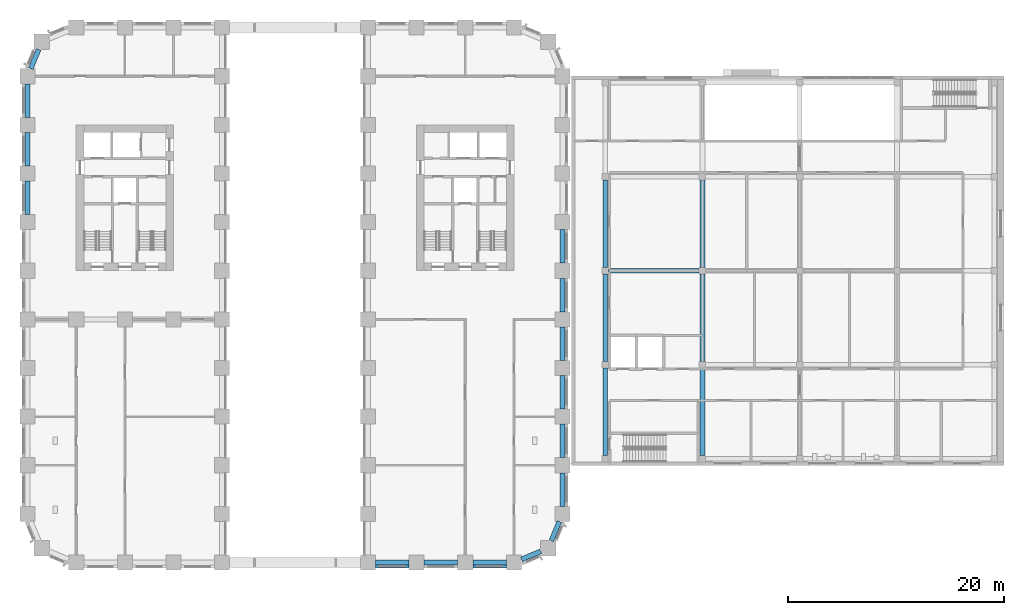
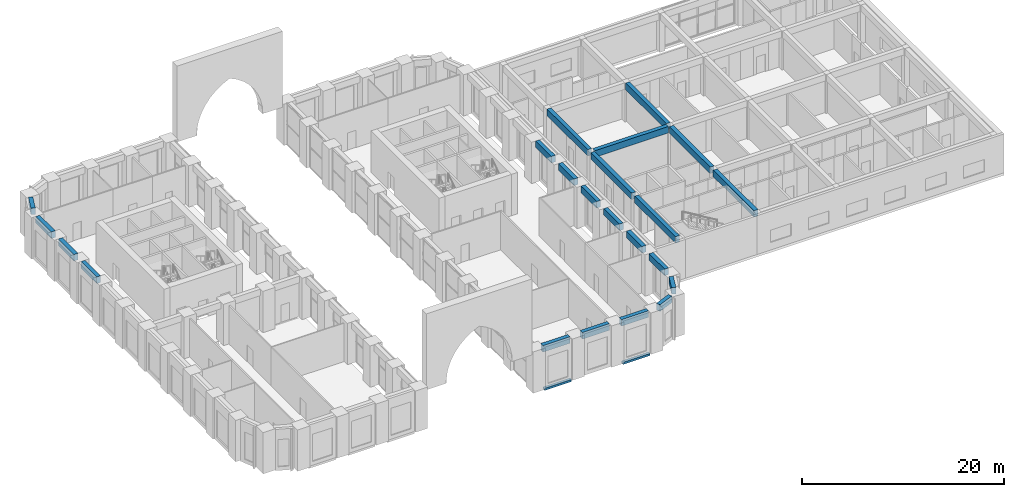
# One storey, part 4 of 25: 24 beams.
"""IFC4 building model written with IfcOpenShell, lengths in metres."""

import ifcopenshell
import ifcopenshell.guid

model = None  # the IFC model being written
_history = None  # IfcOwnerHistory: only IFC2X3 demands one
_inside = {}  # id of a spatial element -> (the spatial element, [elements in it])
_under = {}  # id of a project, library or spatial element -> (it, [spatial elements below it])
_declared = {}  # id of a project -> (the project, [libraries it declares])
_typed = {}  # id of a type object -> (the type object, [elements of that type])
_made_of = {}  # id of a material, layer set ... -> (it, [elements and type objects made of it])


def new_model(schema):
    """Start an empty IFC model of exactly this schema.

    Asked for "IFC4X3", IfcOpenShell would pick the latest addendum, in which some entities
    have other attributes; the version numbers below select the first issue.
    IFC2X3 requires an IfcOwnerHistory on every rooted entity: one is made here for all.
    """
    global model, _history
    if schema == "IFC4X3":
        model = ifcopenshell.file(schema_version=(4, 3, 0, 0))
    else:
        model = ifcopenshell.file(schema=schema)
    _inside.clear()
    _under.clear()
    _declared.clear()
    _typed.clear()
    _made_of.clear()
    _history = None
    if model.schema == "IFC2X3":
        org = make("IfcOrganization", Name="unknown")
        user = make(
            "IfcPersonAndOrganization",
            ThePerson=make("IfcPerson", FamilyName="unknown"),
            TheOrganization=org,
        )
        app = make(
            "IfcApplication",
            ApplicationDeveloper=org,
            Version="unknown",
            ApplicationFullName="unknown",
            ApplicationIdentifier="unknown",
        )
        _history = make(
            "IfcOwnerHistory",
            OwningUser=user,
            OwningApplication=app,
            ChangeAction="ADDED",
            CreationDate=0,
        )
    return model


def make(cls, **values):
    """One entity of the class cls with the attributes given. An attribute that is None is left unset."""
    return model.create_entity(
        cls, **{name: value for name, value in values.items() if value is not None}
    )


def rooted(cls, **values):
    """An entity with a GlobalId (a new one), such as an element, a storey or a relation."""
    return make(cls, GlobalId=ifcopenshell.guid.new(), OwnerHistory=_history, **values)


def si_unit(unit_type, name, prefix=None):
    """IfcSIUnit, for example si_unit("LENGTHUNIT", "METRE", prefix="MILLI")."""
    return make("IfcSIUnit", UnitType=unit_type, Prefix=prefix, Name=name)


def assignment(units):
    """IfcUnitAssignment: the units of a project."""
    return None if units is None else make("IfcUnitAssignment", Units=units)


def point(xyz):
    """IfcCartesianPoint."""
    return None if xyz is None else make("IfcCartesianPoint", Coordinates=xyz)


def direction(xyz):
    """IfcDirection."""
    return None if xyz is None else make("IfcDirection", DirectionRatios=xyz)


def frame(location, z_axis=None, x_axis=None):
    """IfcAxis2Placement3D, a coordinate frame: its origin and axes. An axis left out is left unset."""
    return make(
        "IfcAxis2Placement3D",
        Location=point(location),
        Axis=direction(z_axis),
        RefDirection=direction(x_axis),
    )


def frame_2d(location, x_axis=None):
    """IfcAxis2Placement2D, a coordinate frame in the plane: its origin and x axis."""
    return make(
        "IfcAxis2Placement2D", Location=point(location), RefDirection=direction(x_axis)
    )


def origin():
    """The frame at (0, 0, 0) with its axes left unset."""
    return frame((0.0, 0.0, 0.0))


def origin_2d():
    """The frame at (0, 0) in the plane with its x axis left unset."""
    return frame_2d((0.0, 0.0))


def place(relative_to, where):
    """IfcLocalPlacement: puts the frame where relative to a parent placement (None: the world)."""
    return make(
        "IfcLocalPlacement", PlacementRelTo=relative_to, RelativePlacement=where
    )


def context(
    kind, dimensions, precision=None, world=None, true_north=None, identifier=None
):
    """IfcGeometricRepresentationContext, for example the 3D "Model" context."""
    return make(
        "IfcGeometricRepresentationContext",
        ContextIdentifier=identifier,
        ContextType=kind,
        CoordinateSpaceDimension=dimensions,
        Precision=precision,
        WorldCoordinateSystem=world,
        TrueNorth=true_north,
    )


def subcontext(parent, identifier, kind, view, scale=None):
    """IfcGeometricRepresentationSubContext, for example "Body" below "Model"."""
    return make(
        "IfcGeometricRepresentationSubContext",
        ContextIdentifier=identifier,
        ContextType=kind,
        ParentContext=parent,
        TargetScale=scale,
        TargetView=view,
    )


def project(units=None, contexts=None):
    """IfcProject with its units and contexts."""
    return rooted(
        "IfcProject",
        Name="project",
        RepresentationContexts=contexts,
        UnitsInContext=assignment(units),
    )


def spatial(cls, under=None, at=None, **own):
    """A site, building, storey or space (cls), placed at a placement, below another one or the project."""
    s = rooted(cls, ObjectPlacement=at, **own)
    if under is not None:
        _under.setdefault(under.id(), (under, []))[1].append(s)
    return s


def profile(cls, at=None, kind="AREA", **sizes):
    """A parametric profile (cls). Its sizes go by their IFC names, for example OverallWidth=200.0."""
    return make(cls, ProfileType=kind, Position=at, **sizes)


def rectangle(**sizes):
    """IfcRectangleProfileDef."""
    return profile("IfcRectangleProfileDef", **sizes)


def extrude(swept, where, along, depth):
    """IfcExtrudedAreaSolid: the profile swept, set in the frame where, extruded along a direction by depth."""
    return make(
        "IfcExtrudedAreaSolid",
        SweptArea=swept,
        Position=where,
        ExtrudedDirection=direction(along),
        Depth=depth,
    )


def shape(context_of_items, identifier, shape_type, items):
    """IfcShapeRepresentation: the items that make up one representation, for example the "Body"."""
    return make(
        "IfcShapeRepresentation",
        ContextOfItems=context_of_items,
        RepresentationIdentifier=identifier,
        RepresentationType=shape_type,
        Items=items,
    )


def material(Name=None, Category=None):
    """IfcMaterial."""
    return make("IfcMaterial", Name=Name, Category=Category)


def material_profile(
    of_material, cross_section, Name=None, Category=None, Priority=None
):
    """IfcMaterialProfile: a cross section and its material."""
    return make(
        "IfcMaterialProfile",
        Name=Name,
        Material=of_material,
        Profile=cross_section,
        Priority=Priority,
        Category=Category,
    )


def profile_set(profiles, Name=None, composite=None):
    """IfcMaterialProfileSet."""
    return make(
        "IfcMaterialProfileSet",
        Name=Name,
        MaterialProfiles=profiles,
        CompositeProfile=composite,
    )


def made_of(thing, what):
    """Note that an element or type object is made of a material, layer set ...; save() writes the relation."""
    if what is not None:
        _made_of.setdefault(what.id(), (what, []))[1].append(thing)
    return thing


def type_object(cls, material=None, **own):
    """A type object (cls), such as IfcWallType, which elements share."""
    return made_of(rooted(cls, **own), material)


def element(
    cls,
    number,
    at=None,
    inside=None,
    cuts=None,
    type_object=None,
    material=None,
    context=None,
    identifier="Body",
    shape_type=None,
    held_by="IfcProductDefinitionShape",
    body=None,
    shapes=None,
    **own,
):
    """One element of the class cls, such as IfcWall. Its Tag is "e" and its number.

    at: its placement. inside: the storey or other place that contains it. cuts: it is an
    opening in that element (IfcRelVoidsElement). A single representation is given by context,
    identifier, shape_type and body (its items); several are given by shapes. held_by: the class
    of the entity that holds the representations. save() writes the other relations.
    """
    e = rooted(cls, Tag="e%d" % number, ObjectPlacement=at, **own)
    if body is not None:
        shapes = [shape(context, identifier, shape_type, body)]
    if shapes is not None:
        e.Representation = make(held_by, Representations=shapes)
    if inside is not None:
        _inside.setdefault(inside.id(), (inside, []))[1].append(e)
    if cuts is not None:
        rooted(
            "IfcRelVoidsElement", RelatingBuildingElement=cuts, RelatedOpeningElement=e
        )
    if type_object is not None:
        _typed.setdefault(type_object.id(), (type_object, []))[1].append(e)
    return made_of(e, material)


def aggregate(whole, parts):
    """IfcRelAggregates: a whole, such as a stair, and the parts it consists of."""
    return rooted("IfcRelAggregates", RelatingObject=whole, RelatedObjects=parts)


def save(model, path):
    """Write the relations noted so far, then the file.

    IfcRelAggregates (storeys below a building ...), IfcRelContainedInSpatialStructure (elements
    in a storey), IfcRelDefinesByType, IfcRelAssociatesMaterial and IfcRelDeclares: one each for
    every whole, place, type object, material and project.
    """
    for whole, parts in _under.values():
        aggregate(whole, parts)
    for where, things in _inside.values():
        rooted(
            "IfcRelContainedInSpatialStructure",
            RelatedElements=things,
            RelatingStructure=where,
        )
    for kind, things in _typed.values():
        rooted("IfcRelDefinesByType", RelatedObjects=things, RelatingType=kind)
    for what, things in _made_of.values():
        rooted("IfcRelAssociatesMaterial", RelatedObjects=things, RelatingMaterial=what)
    for by, libraries in _declared.values():
        rooted("IfcRelDeclares", RelatingContext=by, RelatedDefinitions=libraries)
    model.write(path)


model = new_model("IFC4")

# Units and contexts
model_context = context("Model", 3, precision=1e-05, world=origin(), true_north=direction((0.0, 1.0)))
body_context = subcontext(model_context, "Body", "Model", "MODEL_VIEW")
ifc_project = project(units=[si_unit("LENGTHUNIT", "METRE"), si_unit("AREAUNIT", "SQUARE_METRE"), si_unit("VOLUMEUNIT", "CUBIC_METRE"), si_unit("PLANEANGLEUNIT", "RADIAN"), si_unit("MASSUNIT", "GRAM", prefix="KILO")], contexts=[model_context])

# Site, building, storey
site_placement = place(None, origin())
site = spatial("IfcSite", under=ifc_project, at=site_placement, CompositionType="ELEMENT")
building_placement = place(site_placement, origin())
building = spatial("IfcBuilding", under=site, at=building_placement, Name="Girih Gate Residences", CompositionType="ELEMENT")
storey_placement = place(building_placement, frame((0.0, 0.0, 6.0)))
storey = spatial("IfcBuildingStorey", under=building, at=storey_placement, Name="L01", CompositionType="ELEMENT", Elevation=6.0)

# Beams
ifc_material_1 = material(Name="Concrete C50/60", Category="concrete")
ifc_material_profile_1 = material_profile(ifc_material_1, rectangle(XDim=0.300048828125, YDim=0.25, at=origin_2d()))
ifc_profile_set_1 = profile_set([ifc_material_profile_1], Name="Concrete C50/60")
beam_type_1 = type_object("IfcBeamType", Name="Facade ledge RC 300x250 Concrete C50/60", PredefinedType="BEAM", material=ifc_profile_set_1)
for number, where, z_axis, x_axis, name in (
    (1, (32.199951171875, -0.375, -0.125), (1.0, 0.0, 0.0), (0.0, 1.0, 0.0), "Facade ledge S0315_0000.0 L01"),
    (2, (41.199951171875, -0.375, -0.125), (1.0, 0.0, 0.0), (0.0, 1.0, 0.0), "Facade ledge S0315_0000.2 L01"),
):
    element("IfcBeam", number, at=place(storey_placement, frame(where, z_axis=z_axis, x_axis=x_axis)), inside=storey, type_object=beam_type_1, Name=name, PredefinedType="BEAM", context=body_context, shape_type="SweptSolid", body=[
        extrude(rectangle(XDim=0.300048828125, YDim=0.25, at=origin_2d()), origin(), (0.0, 0.0, 1.0), 3.10009765625),
    ])
ifc_material_2 = material(Name="Concrete C40/50", Category="concrete")
ifc_material_profile_2 = material_profile(ifc_material_2, rectangle(XDim=0.449951171875, YDim=0.800048828125, at=origin_2d()))
ifc_profile_set_2 = profile_set([ifc_material_profile_2], Name="Concrete C40/50")
beam_type_2 = type_object("IfcBeamType", Name="HC Beam 450x800 C40/50", PredefinedType="BEAM", material=ifc_profile_set_2)
beam_1_placement = place(storey_placement, frame((53.75, 27.0, 4.300048828125), z_axis=(1.0, 0.0, 0.0), x_axis=(0.0, 1.0, 0.0)))
element("IfcBeam", 3, at=beam_1_placement, inside=storey, type_object=beam_type_2, Name="L01 beam HC.1", PredefinedType="BEAM", context=body_context, shape_type="SweptSolid", body=[
    extrude(rectangle(XDim=0.449951171875, YDim=0.800048828125, at=origin_2d()), origin(), (0.0, 0.0, 1.0), 8.39990234375),
])
beam_2_placement = place(storey_placement, frame((53.449951171875, 9.89990234375, 4.300048828125), z_axis=(0.0, 1.0, 0.0), x_axis=(-1.0, 0.0, 0.0)))
element("IfcBeam", 4, at=beam_2_placement, inside=storey, type_object=beam_type_2, Name="L01 beam H1.1", PredefinedType="BEAM", context=body_context, shape_type="SweptSolid", body=[
    extrude(rectangle(XDim=0.449951171875, YDim=0.800048828125, at=origin_2d()), origin(), (0.0, 0.0, 1.0), 8.10009765625),
])
for number, where, z_axis, x_axis, name in (
    (5, (53.449951171875, 18.60009765625, 4.300048828125), (0.0, 1.0, 0.0), (-1.0, 0.0, 0.0), "L01 beam H1.2"),
    (6, (53.449951171875, 27.300048828125, 4.300048828125), (0.0, 1.0, 0.0), (-1.0, 0.0, 0.0), "L01 beam H1.3"),
):
    element("IfcBeam", number, at=place(storey_placement, frame(where, z_axis=z_axis, x_axis=x_axis)), inside=storey, type_object=beam_type_2, Name=name, PredefinedType="BEAM", context=body_context, shape_type="SweptSolid", body=[
        extrude(rectangle(XDim=0.449951171875, YDim=0.800048828125, at=origin_2d()), origin(), (0.0, 0.0, 1.0), 8.099853515625),
    ])
beam_3_placement = place(storey_placement, frame((62.449951171875, 9.89990234375, 4.300048828125), z_axis=(0.0, 1.0, 0.0), x_axis=(-1.0, 0.0, 0.0)))
element("IfcBeam", 7, at=beam_3_placement, inside=storey, type_object=beam_type_2, Name="L01 beam H2.1", PredefinedType="BEAM", context=body_context, shape_type="SweptSolid", body=[
    extrude(rectangle(XDim=0.449951171875, YDim=0.800048828125, at=origin_2d()), origin(), (0.0, 0.0, 1.0), 8.10009765625),
])
for number, where, z_axis, x_axis, name in (
    (8, (62.449951171875, 18.60009765625, 4.300048828125), (0.0, 1.0, 0.0), (-1.0, 0.0, 0.0), "L01 beam H2.2"),
    (9, (62.449951171875, 27.300048828125, 4.300048828125), (0.0, 1.0, 0.0), (-1.0, 0.0, 0.0), "L01 beam H2.3"),
):
    element("IfcBeam", number, at=place(storey_placement, frame(where, z_axis=z_axis, x_axis=x_axis)), inside=storey, type_object=beam_type_2, Name=name, PredefinedType="BEAM", context=body_context, shape_type="SweptSolid", body=[
        extrude(rectangle(XDim=0.449951171875, YDim=0.800048828125, at=origin_2d()), origin(), (0.0, 0.0, 1.0), 8.099853515625),
    ])
ifc_material_3 = material(Name="Concrete C60/75", Category="concrete")
ifc_material_profile_3 = material_profile(ifc_material_3, rectangle(XDim=0.449951171875, YDim=0.800048828125, at=origin_2d()))
ifc_profile_set_3 = profile_set([ifc_material_profile_3], Name="Concrete C60/75")
beam_type_3 = type_object("IfcBeamType", Name="Spandrel girder RC 450x800 Concrete C60/75", PredefinedType="BEAM", material=ifc_profile_set_3)
beam_4_placement = place(storey_placement, frame((1.028076171875, 47.48193359375, 4.60009765625), z_axis=(-0.382646180293, -0.923894961945, 0.0), x_axis=(0.923894961945, -0.382646180293, 0.0)))
element("IfcBeam", 10, at=beam_4_placement, inside=storey, type_object=beam_type_3, Name="Spandrel girder SP-P1LSE-P1K L01", PredefinedType="BEAM", context=body_context, shape_type="SweptSolid", body=[
    extrude(rectangle(XDim=0.449951171875, YDim=0.800048828125, at=origin_2d()), origin(), (0.0, 0.0, 1.0), 1.9287109375),
])
for number, where, z_axis, x_axis, name in (
    (11, (0.0, 44.300048828125, 4.60009765625), (0.0, -1.0, 0.0), (1.0, 0.0, 0.0), "Spandrel girder SP-P1K-P1J L01"),
    (12, (0.0, 39.800048828125, 4.60009765625), (0.0, -1.0, 0.0), (1.0, 0.0, 0.0), "Spandrel girder SP-P1J-P1I L01"),
    (13, (0.0, 35.300048828125, 4.60009765625), (0.0, -1.0, 0.0), (1.0, 0.0, 0.0), "Spandrel girder SP-P1I-P1H L01"),
    (14, (32.199951171875, 0.0, 4.60009765625), (1.0, 0.0, 0.0), (0.0, 1.0, 0.0), "Spandrel girder SP-P8A-P9A L01"),
    (15, (36.699951171875, 0.0, 4.60009765625), (1.0, 0.0, 0.0), (0.0, 1.0, 0.0), "Spandrel girder SP-P9A-P10A L01"),
    (16, (41.199951171875, 0.0, 4.60009765625), (1.0, 0.0, 0.0), (0.0, 1.0, 0.0), "Spandrel girder SP-P10A-P11A L01"),
):
    element("IfcBeam", number, at=place(storey_placement, frame(where, z_axis=z_axis, x_axis=x_axis)), inside=storey, type_object=beam_type_3, Name=name, PredefinedType="BEAM", context=body_context, shape_type="SweptSolid", body=[
        extrude(rectangle(XDim=0.449951171875, YDim=0.800048828125, at=origin_2d()), origin(), (0.0, 0.0, 1.0), 3.10009765625),
    ])
for number, where, z_axis, x_axis, name in (
    (17, (45.699951171875, 0.2900390625, 4.60009765625), (0.923894961945, 0.382646180293, 0.0), (-0.382646180293, 0.923894961945, 0.0), "Spandrel girder SP-P11A-P12ANW L01"),
    (18, (48.471923828125, 2.01806640625, 4.60009765625), (0.382646180293, 0.923894961945, 0.0), (-0.923894961945, 0.382646180293, 0.0), "Spandrel girder SP-P12ANW-P12B L01"),
):
    element("IfcBeam", number, at=place(storey_placement, frame(where, z_axis=z_axis, x_axis=x_axis)), inside=storey, type_object=beam_type_3, Name=name, PredefinedType="BEAM", context=body_context, shape_type="SweptSolid", body=[
        extrude(rectangle(XDim=0.449951171875, YDim=0.800048828125, at=origin_2d()), origin(), (0.0, 0.0, 1.0), 1.9287109375),
    ])
for number, where, z_axis, x_axis, name in (
    (19, (49.5, 5.199951171875, 4.60009765625), (0.0, 1.0, 0.0), (-1.0, 0.0, 0.0), "Spandrel girder SP-P12B-P12C L01"),
    (20, (49.5, 9.699951171875, 4.60009765625), (0.0, 1.0, 0.0), (-1.0, 0.0, 0.0), "Spandrel girder SP-P12C-P12D L01"),
    (21, (49.5, 14.199951171875, 4.60009765625), (0.0, 1.0, 0.0), (-1.0, 0.0, 0.0), "Spandrel girder SP-P12D-P12E L01"),
    (22, (49.5, 18.699951171875, 4.60009765625), (0.0, 1.0, 0.0), (-1.0, 0.0, 0.0), "Spandrel girder SP-P12E-P12F L01"),
    (23, (49.5, 23.199951171875, 4.60009765625), (0.0, 1.0, 0.0), (-1.0, 0.0, 0.0), "Spandrel girder SP-P12F-P12G L01"),
    (24, (49.5, 27.699951171875, 4.60009765625), (0.0, 1.0, 0.0), (-1.0, 0.0, 0.0), "Spandrel girder SP-P12G-P12H L01"),
):
    element("IfcBeam", number, at=place(storey_placement, frame(where, z_axis=z_axis, x_axis=x_axis)), inside=storey, type_object=beam_type_3, Name=name, PredefinedType="BEAM", context=body_context, shape_type="SweptSolid", body=[
        extrude(rectangle(XDim=0.449951171875, YDim=0.800048828125, at=origin_2d()), origin(), (0.0, 0.0, 1.0), 3.10009765625),
    ])

save(model, "model.ifc")
